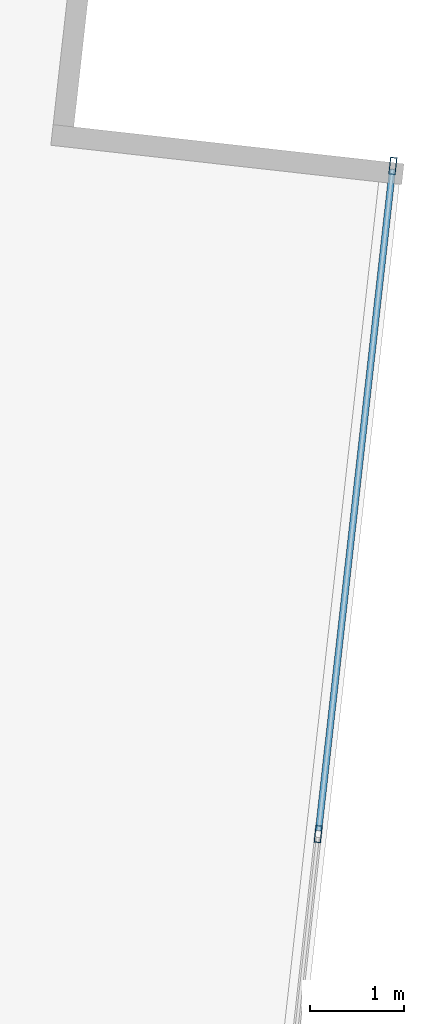
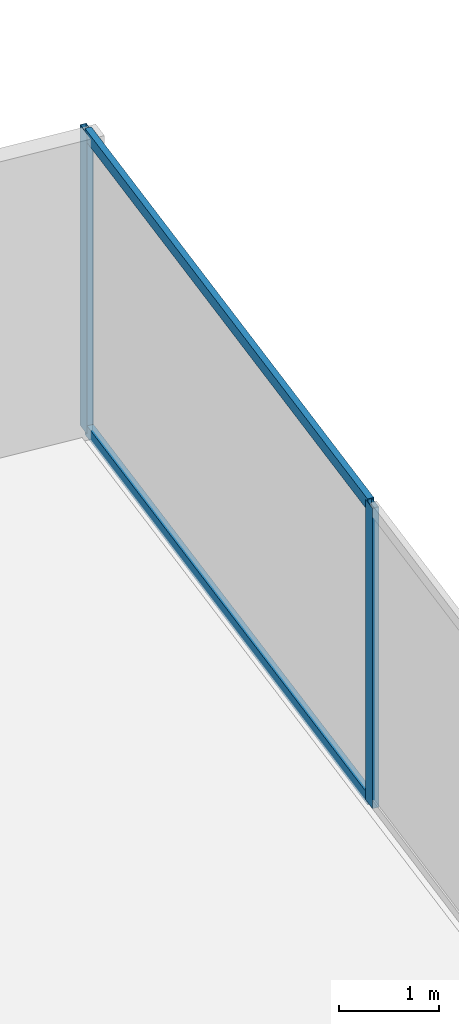
# One storey, part 21 of 31: 4 members, 1 element without a shape of its own.
"""IFC4 building model written with IfcOpenShell, lengths in metres."""

from ifc_helpers import new_model, si_unit, direction, frame, origin, origin_2d, place, context, subcontext, project, spatial, hollow_rectangle, extrude, source, transform, mapped, material, material_profile, profile_set, type_object, type_shapes, element, aggregate, save


model = new_model("IFC4")

# Units and contexts
model_context = context("Model", 3, precision=1e-05, world=origin(), true_north=direction((0.0, 1.0)))
body_context = subcontext(model_context, "Body", "Model", "MODEL_VIEW")
ifc_project = project(units=[si_unit("LENGTHUNIT", "METRE"), si_unit("AREAUNIT", "SQUARE_METRE"), si_unit("VOLUMEUNIT", "CUBIC_METRE"), si_unit("PLANEANGLEUNIT", "RADIAN"), si_unit("MASSUNIT", "GRAM", prefix="KILO")], contexts=[model_context])

# Site, building, storey
site_placement = place(None, origin())
site = spatial("IfcSite", under=ifc_project, at=site_placement, CompositionType="ELEMENT")
building_placement = place(site_placement, origin())
building = spatial("IfcBuilding", under=site, at=building_placement, Name="Krantzveldt Concourse Tower", CompositionType="ELEMENT")
storey_placement = place(building_placement, frame((0.0, 0.0, 56.60009765625)))
storey = spatial("IfcBuildingStorey", under=building, at=storey_placement, Name="L13", CompositionType="ELEMENT", Elevation=56.60009765625)

# Curtain wall, members
ifc_material = material(Name="Anodised aluminium 6063-T6", Category="aluminium")
curtain_wall_type = type_object("IfcCurtainWallType", Name="CW2", PredefinedType="USERDEFINED", material=ifc_material)
curtain_wall_placement = place(storey_placement, origin())
curtain_wall = element("IfcCurtainWall", 1, at=curtain_wall_placement, inside=storey, type_object=curtain_wall_type, Name="CW-L13-F07", ObjectType="UNITISED CURTAIN WALL", PredefinedType="USERDEFINED")
ifc_material_profile_1 = material_profile(ifc_material, hollow_rectangle(XDim=0.070068359375, YDim=0.179931640625, WallThickness=0.0048828125, at=origin_2d()), Name="Anodised aluminium 6063-T6", Category="aluminium")
ifc_profile_set_1 = profile_set([ifc_material_profile_1], Name="Anodised aluminium 6063-T6 - ALU-MULL 180x70x5")
member_type_1 = type_object("IfcMemberType", Name="CW-MUL-180", PredefinedType="MULLION", material=ifc_profile_set_1)
shared_shape_1 = source(origin(), body_context, "Body", "SweptSolid", [
    extrude(hollow_rectangle(XDim=0.070068359375, YDim=0.179931640625, WallThickness=0.0048828125, at=origin_2d()), origin(), (0.0, 0.0, 1.0), 3.669921875),
])
type_shapes(member_type_1, [shared_shape_1])
member_1_placement = place(storey_placement, frame((62.347412109375, 38.1787109375, 0.0), z_axis=(0.0, 0.0, 1.0), x_axis=(-0.993816458223, 0.111035342863, 0.0)))
member_1 = element("IfcMember", 2, at=member_1_placement, type_object=member_type_1, Name="CW-Z12 mullion 6", PredefinedType="MULLION", context=body_context, shape_type="MappedRepresentation", body=[
    mapped(shared_shape_1, transform((0.0, 0.0, 0.0), x_axis=(1.0, 0.0, 0.0), y_axis=(0.0, 1.0, 0.0), z_axis=(0.0, 0.0, 1.0), scale=1.0)),
])
member_2_placement = place(storey_placement, frame((63.139404296875, 45.266357421875, 0.0), z_axis=(0.0, 0.0, 1.0), x_axis=(-0.993816458223, 0.111035342863, 0.0)))
member_2 = element("IfcMember", 3, at=member_2_placement, type_object=member_type_1, Name="CW-Z12 mullion 7", PredefinedType="MULLION", context=body_context, shape_type="MappedRepresentation", body=[
    mapped(shared_shape_1, transform((0.0, 0.0, 0.0), x_axis=(1.0, 0.0, 0.0), y_axis=(0.0, 1.0, 0.0), z_axis=(0.0, 0.0, 1.0), scale=1.0)),
])
ifc_material_profile_2 = material_profile(ifc_material, hollow_rectangle(XDim=0.070068359375, YDim=0.139892578125, WallThickness=0.0048828125, at=origin_2d()), Name="Anodised aluminium 6063-T6", Category="aluminium")
ifc_profile_set_2 = profile_set([ifc_material_profile_2], Name="Anodised aluminium 6063-T6 - ALU-TRAN 140x70x5")
member_type_2 = type_object("IfcMemberType", Name="CW-TRN-150", PredefinedType="USERDEFINED", material=ifc_profile_set_2)
shared_shape_2 = source(origin(), body_context, "Body", "SweptSolid", [
    extrude(hollow_rectangle(XDim=0.070068359375, YDim=0.139892578125, WallThickness=0.0048828125, at=origin_2d()), origin(), (0.0, 0.0, 1.0), 7.061767578125),
])
type_shapes(member_type_2, [shared_shape_2])
member_3_placement = place(storey_placement, frame((62.351318359375, 38.213623046875, 0.034912109375), z_axis=(0.111046217254, 0.993815243208, 0.0), x_axis=(-0.993815243208, 0.111046217254, 0.0)))
member_3 = element("IfcMember", 4, at=member_3_placement, type_object=member_type_2, Name="CW-Z12 transom 6.1", ObjectType="TRANSOM", PredefinedType="USERDEFINED", context=body_context, shape_type="MappedRepresentation", body=[
    mapped(shared_shape_2, transform((0.0, 0.0, 0.0), x_axis=(1.0, 0.0, 0.0), y_axis=(0.0, 1.0, 0.0), z_axis=(0.0, 0.0, 1.0), scale=1.0)),
])
member_4_placement = place(storey_placement, frame((62.351318359375, 38.213623046875, 3.635009765625), z_axis=(0.111046217254, 0.993815243208, 0.0), x_axis=(-0.993815243208, 0.111046217254, 0.0)))
member_4 = element("IfcMember", 5, at=member_4_placement, type_object=member_type_2, Name="CW-Z12 transom 6.2", ObjectType="TRANSOM", PredefinedType="USERDEFINED", context=body_context, shape_type="MappedRepresentation", body=[
    mapped(shared_shape_2, transform((0.0, 0.0, 0.0), x_axis=(1.0, 0.0, 0.0), y_axis=(0.0, 1.0, 0.0), z_axis=(0.0, 0.0, 1.0), scale=1.0)),
])
aggregate(curtain_wall, [member_1, member_2, member_3, member_4])

save(model, "model.ifc")
